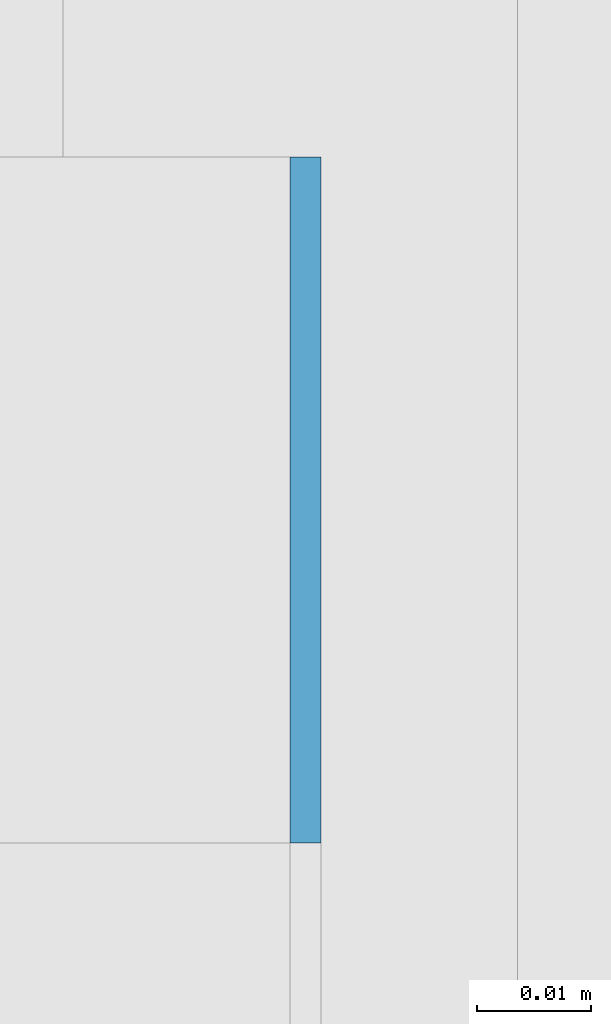
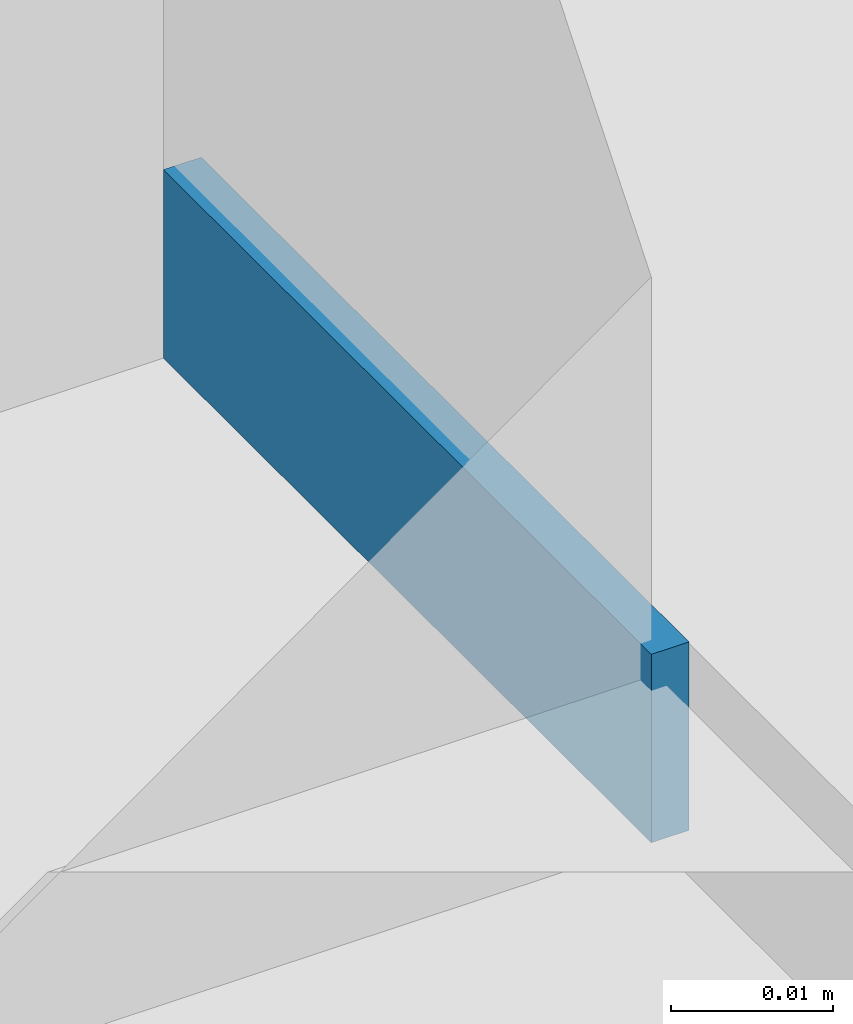
# One storey, part 240 of 646: 1 discrete accessory.
"""IFC4 building model written with IfcOpenShell, lengths in metres."""

from ifc_helpers import new_model, si_unit, direction, frame, origin, origin_2d, place, context, subcontext, project, spatial, rectangle, extrude, material, type_object, element, save


model = new_model("IFC4")

# Units and contexts
model_context = context("Model", 3, precision=1e-05, world=origin(), true_north=direction((0.0, 1.0)))
body_context = subcontext(model_context, "Body", "Model", "MODEL_VIEW")
ifc_project = project(units=[si_unit("LENGTHUNIT", "METRE"), si_unit("AREAUNIT", "SQUARE_METRE"), si_unit("VOLUMEUNIT", "CUBIC_METRE"), si_unit("PLANEANGLEUNIT", "RADIAN"), si_unit("MASSUNIT", "GRAM", prefix="KILO")], contexts=[model_context])

# Site, building, storey
site_placement = place(None, origin())
site = spatial("IfcSite", under=ifc_project, at=site_placement, CompositionType="ELEMENT")
building_placement = place(site_placement, origin())
building = spatial("IfcBuilding", under=site, at=building_placement, Name="Silverbay Arena", CompositionType="ELEMENT")
storey_placement = place(building_placement, frame((0.0, 0.0, 33.5)))
storey = spatial("IfcBuildingStorey", under=building, at=storey_placement, Name="L05", CompositionType="ELEMENT", Elevation=33.5)

# Discrete accessory
ifc_material = material(Name="Steel S355", Category="steel")
discrete_accessory_type = type_object("IfcDiscreteAccessoryType", Name="Steel bracket plate", PredefinedType="BRACKET", material=ifc_material)
discrete_accessory_placement = place(storey_placement, frame((53.871337890625, 27.429931640625, 4.0), z_axis=(0.0, 0.0, 1.0), x_axis=(1.0, 0.0, 0.0)))
element("IfcDiscreteAccessory", 1, at=discrete_accessory_placement, inside=storey, type_object=discrete_accessory_type, Name="Curtain wall packing plate", PredefinedType="BRACKET", context=body_context, shape_type="SweptSolid", body=[
    extrude(rectangle(XDim=0.002685546875, YDim=0.06005859375, at=origin_2d()), origin(), (0.0, 0.0, 1.0), 0.01416015625),
])

save(model, "model.ifc")
